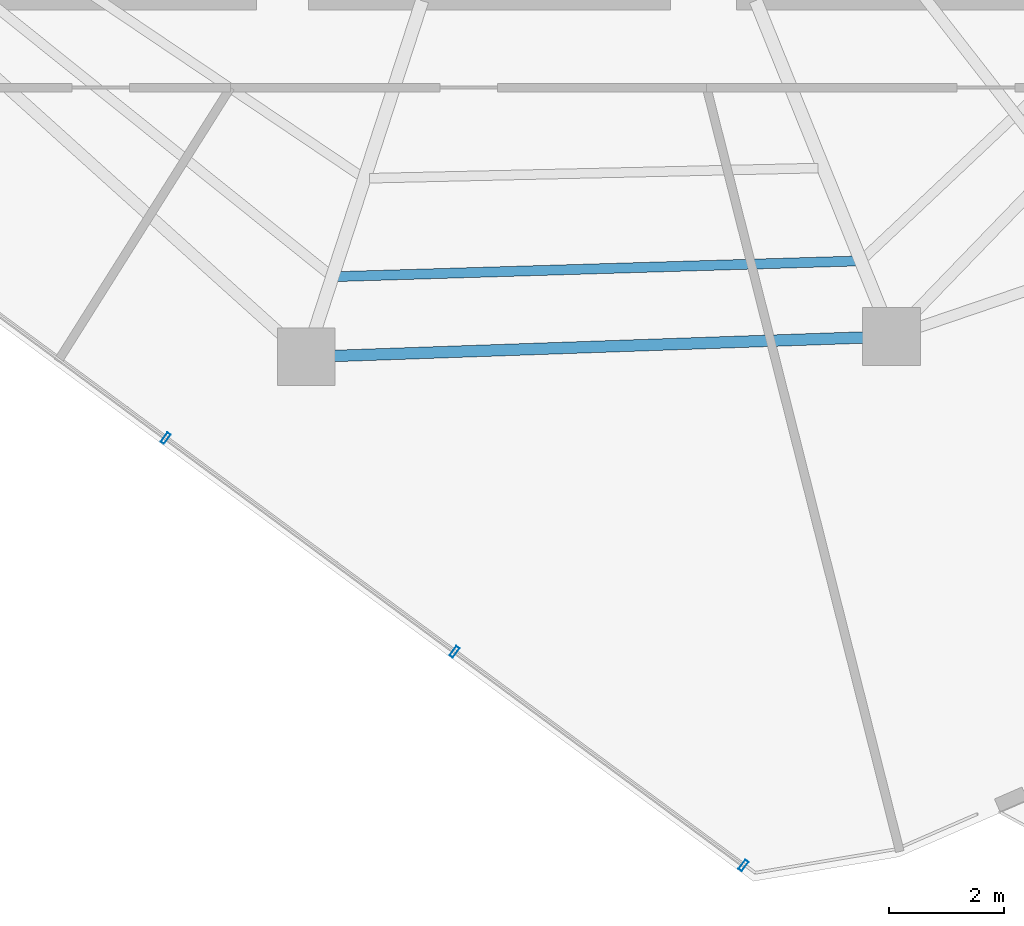
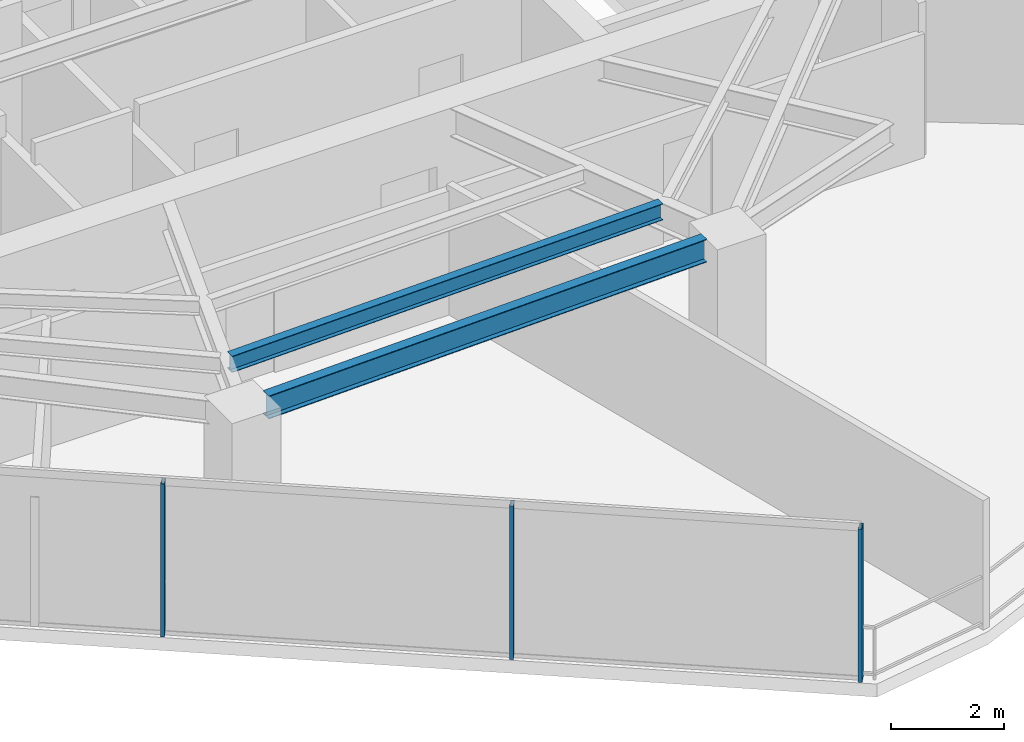
# One storey, part 4 of 22: 3 members, 2 beams, 1 element without a shape of its own.
"""IFC4 building model written with IfcOpenShell, lengths in metres."""

from ifc_helpers import new_model, si_unit, direction, frame, origin, origin_2d, place, context, subcontext, project, spatial, hollow_rectangle, i_section, extrude, material, layer, layer_set, material_profile, profile_set, type_object, element, aggregate, save


model = new_model("IFC4")

# Units and contexts
model_context = context("Model", 3, precision=1e-05, world=origin(), true_north=direction((0.0, 1.0)))
body_context = subcontext(model_context, "Body", "Model", "MODEL_VIEW")
ifc_project = project(units=[si_unit("LENGTHUNIT", "METRE"), si_unit("AREAUNIT", "SQUARE_METRE"), si_unit("VOLUMEUNIT", "CUBIC_METRE"), si_unit("PLANEANGLEUNIT", "RADIAN"), si_unit("MASSUNIT", "GRAM", prefix="KILO")], contexts=[model_context])

# Site, building, storey
site_placement = place(None, origin())
site = spatial("IfcSite", under=ifc_project, at=site_placement, CompositionType="ELEMENT")
building_placement = place(site_placement, origin())
building = spatial("IfcBuilding", under=site, at=building_placement, Name="Qarnah Convention Tower", CompositionType="ELEMENT")
storey_placement = place(building_placement, frame((0.0, 0.0, 154.5)))
storey = spatial("IfcBuildingStorey", under=building, at=storey_placement, Name="L41", CompositionType="ELEMENT", Elevation=154.5)

# Beams
ifc_material_1 = material(Name="Structural steel S355JR", Category="steel")
ifc_material_profile_1 = material_profile(ifc_material_1, i_section(OverallWidth=0.172119140625, OverallDepth=0.35595703125, WebThickness=0.007080078125, FlangeThickness=0.011962890625, at=origin_2d()), Name="W360X51")
ifc_profile_set_1 = profile_set([ifc_material_profile_1], Name="Structural steel S355JR")
beam_type_1 = type_object("IfcBeamType", Name="BM-JST-W360", PredefinedType="JOIST", material=ifc_profile_set_1)
beam_1_placement = place(storey_placement, frame((33.153076171875, 13.6708984375, 3.14208984375), z_axis=(0.999549139183, 0.030025295308, 0.0), x_axis=(-0.030025295308, 0.999549139183, 0.0)))
element("IfcBeam", 1, at=beam_1_placement, inside=storey, type_object=beam_type_1, Name="L41 joist BM-L41-SJST-07", PredefinedType="JOIST", context=body_context, shape_type="SweptSolid", body=[
    extrude(i_section(OverallWidth=0.172119140625, OverallDepth=0.35595703125, WebThickness=0.007080078125, FlangeThickness=0.011962890625, at=origin_2d()), origin(), (0.0, 0.0, 1.0), 8.9931640625),
])
ifc_material_profile_2 = material_profile(ifc_material_1, i_section(OverallWidth=0.199951171875, OverallDepth=0.5, WebThickness=0.010009765625, FlangeThickness=0.01611328125, at=origin_2d()), Name="IPE500")
ifc_profile_set_2 = profile_set([ifc_material_profile_2], Name="Structural steel S355JR")
beam_type_2 = type_object("IfcBeamType", Name="BM-SPN-IPE500", PredefinedType="SPANDREL", material=ifc_profile_set_2)
beam_2_placement = place(storey_placement, frame((33.10107421875, 12.2939453125, 3.070068359375), z_axis=(0.999391665003, 0.034875491717, 0.0), x_axis=(-0.034875491717, 0.999391665003, 0.0)))
element("IfcBeam", 2, at=beam_2_placement, inside=storey, type_object=beam_type_2, Name="L41 spandrel BM-L41-SPN-07", PredefinedType="SPANDREL", context=body_context, shape_type="SweptSolid", body=[
    extrude(i_section(OverallWidth=0.199951171875, OverallDepth=0.5, WebThickness=0.010009765625, FlangeThickness=0.01611328125, at=origin_2d()), origin(), (0.0, 0.0, 1.0), 9.177490234375),
])

# Curtain wall, members
ifc_material_2 = material(Name="Tempered Low-E dark glass", Category="glass")
ifc_layer = layer(ifc_material_2, 0.172119140625)
ifc_layer_set = layer_set([ifc_layer], Name="Tempered Low-E dark glass")
curtain_wall_type = type_object("IfcCurtainWallType", Name="CWS-03", PredefinedType="NOTDEFINED", material=ifc_layer_set)
curtain_wall_placement = place(storey_placement, origin())
curtain_wall = element("IfcCurtainWall", 3, at=curtain_wall_placement, inside=storey, type_object=curtain_wall_type, Name="L41 unitised curtain wall CW-L41-F2", PredefinedType="NOTDEFINED")
ifc_material_3 = material(Name="Black anodised aluminium", Category="aluminium")
ifc_material_profile_3 = material_profile(ifc_material_3, hollow_rectangle(XDim=0.070068359375, YDim=0.199951171875, WallThickness=0.0048828125, at=origin_2d()), Name="MUL-70X200")
ifc_profile_set_3 = profile_set([ifc_material_profile_3], Name="Black anodised aluminium")
member_type = type_object("IfcMemberType", Name="MUL-T3", PredefinedType="MULLION", material=ifc_profile_set_3)
member_1_placement = place(storey_placement, frame((40.196044921875, 3.4541015625, 0.0), z_axis=(0.0, 0.0, 1.0), x_axis=(-0.804054129382, 0.594556100821, 0.0)))
member_1 = element("IfcMember", 4, at=member_1_placement, type_object=member_type, Name="CW-L41-F2 mullion 1", PredefinedType="MULLION", context=body_context, shape_type="SweptSolid", body=[
    extrude(hollow_rectangle(XDim=0.070068359375, YDim=0.199951171875, WallThickness=0.0048828125, at=origin_2d()), origin(), (0.0, 0.0, 1.0), 3.320068359375),
])
member_2_placement = place(storey_placement, frame((35.182861328125, 7.160888671875, 0.0), z_axis=(0.0, 0.0, 1.0), x_axis=(-0.804054129382, 0.594556100821, 0.0)))
member_2 = element("IfcMember", 5, at=member_2_placement, type_object=member_type, Name="CW-L41-F2 mullion 2", PredefinedType="MULLION", context=body_context, shape_type="SweptSolid", body=[
    extrude(hollow_rectangle(XDim=0.070068359375, YDim=0.199951171875, WallThickness=0.0048828125, at=origin_2d()), origin(), (0.0, 0.0, 1.0), 3.320068359375),
])
member_3_placement = place(storey_placement, frame((30.169677734375, 10.867919921875, 0.0), z_axis=(0.0, 0.0, 1.0), x_axis=(-0.804054129382, 0.594556100821, 0.0)))
member_3 = element("IfcMember", 6, at=member_3_placement, type_object=member_type, Name="CW-L41-F2 mullion 3", PredefinedType="MULLION", context=body_context, shape_type="SweptSolid", body=[
    extrude(hollow_rectangle(XDim=0.070068359375, YDim=0.199951171875, WallThickness=0.0048828125, at=origin_2d()), origin(), (0.0, 0.0, 1.0), 3.320068359375),
])
aggregate(curtain_wall, [member_1, member_2, member_3])

save(model, "model.ifc")
